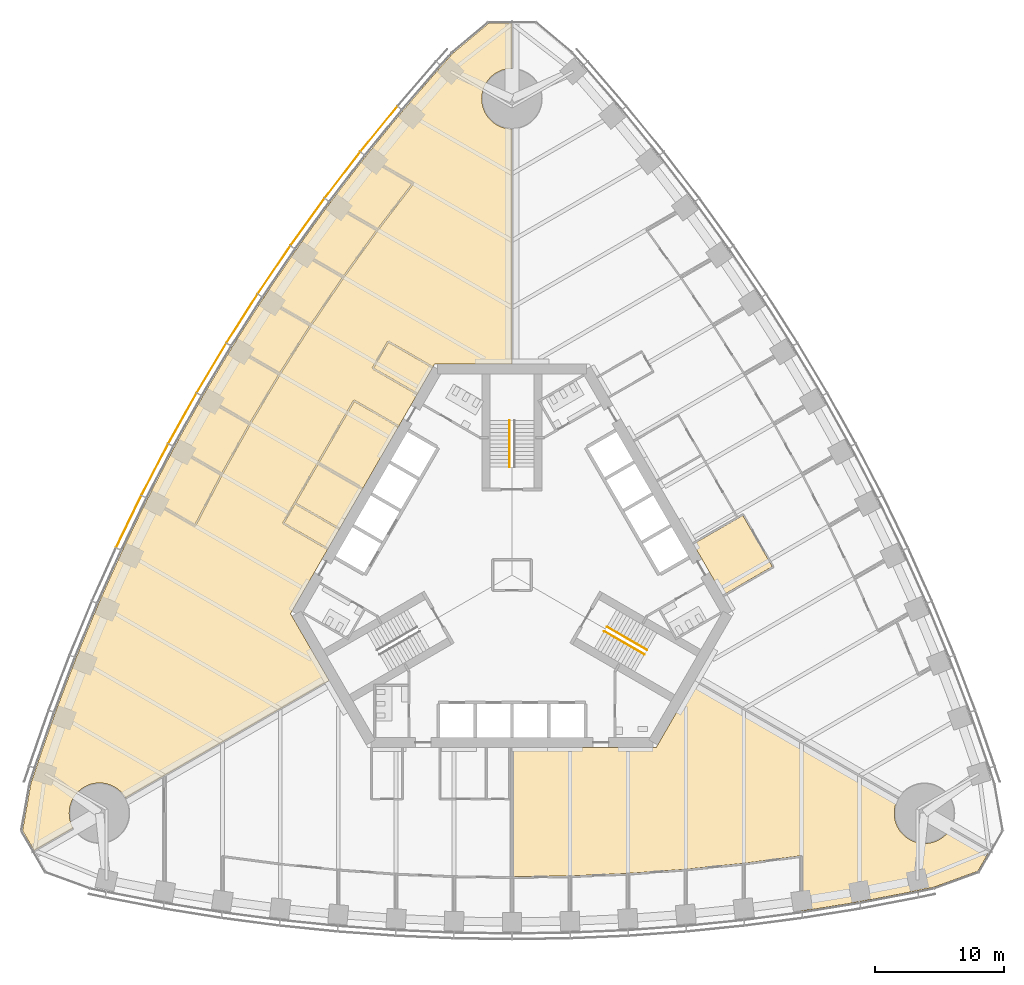
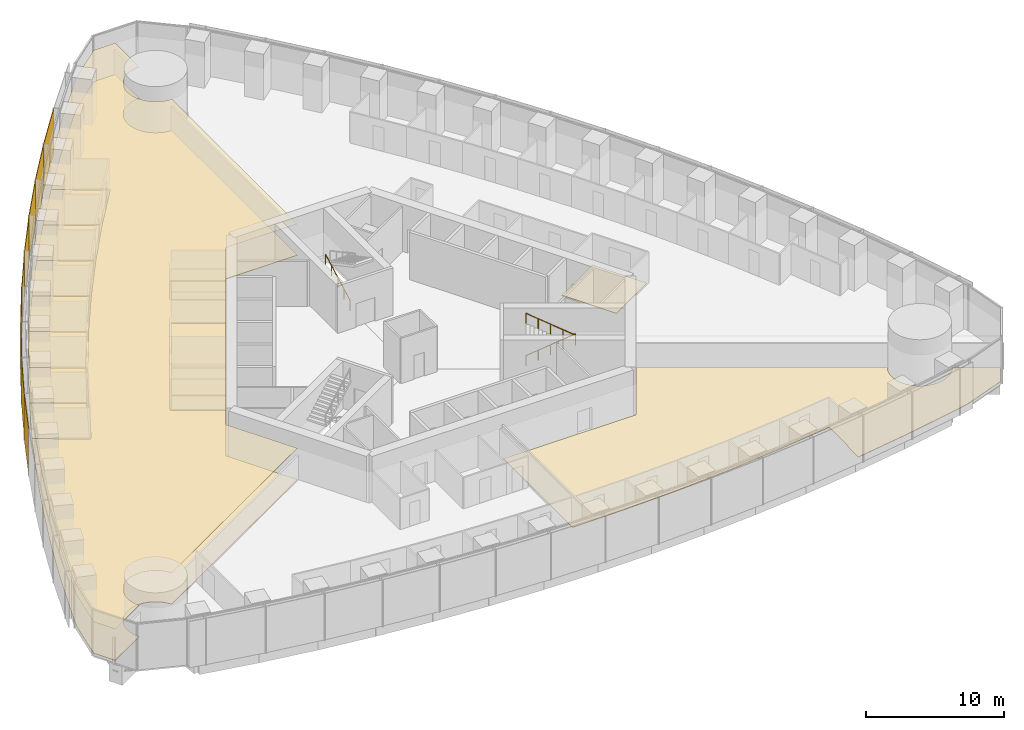
# One storey, part 16 of 19: 15 coverings, 9 shading devices, 3 railings.
"""IFC4 building model written with IfcOpenShell, lengths in metres."""

import ifcopenshell
import ifcopenshell.guid

model = None  # the IFC model being written
_history = None  # IfcOwnerHistory: only IFC2X3 demands one
_inside = {}  # id of a spatial element -> (the spatial element, [elements in it])
_under = {}  # id of a project, library or spatial element -> (it, [spatial elements below it])
_declared = {}  # id of a project -> (the project, [libraries it declares])
_typed = {}  # id of a type object -> (the type object, [elements of that type])
_made_of = {}  # id of a material, layer set ... -> (it, [elements and type objects made of it])


def new_model(schema):
    """Start an empty IFC model of exactly this schema.

    Asked for "IFC4X3", IfcOpenShell would pick the latest addendum, in which some entities
    have other attributes; the version numbers below select the first issue.
    IFC2X3 requires an IfcOwnerHistory on every rooted entity: one is made here for all.
    """
    global model, _history
    if schema == "IFC4X3":
        model = ifcopenshell.file(schema_version=(4, 3, 0, 0))
    else:
        model = ifcopenshell.file(schema=schema)
    _inside.clear()
    _under.clear()
    _declared.clear()
    _typed.clear()
    _made_of.clear()
    _history = None
    if model.schema == "IFC2X3":
        org = make("IfcOrganization", Name="unknown")
        user = make(
            "IfcPersonAndOrganization",
            ThePerson=make("IfcPerson", FamilyName="unknown"),
            TheOrganization=org,
        )
        app = make(
            "IfcApplication",
            ApplicationDeveloper=org,
            Version="unknown",
            ApplicationFullName="unknown",
            ApplicationIdentifier="unknown",
        )
        _history = make(
            "IfcOwnerHistory",
            OwningUser=user,
            OwningApplication=app,
            ChangeAction="ADDED",
            CreationDate=0,
        )
    return model


def make(cls, **values):
    """One entity of the class cls with the attributes given. An attribute that is None is left unset."""
    return model.create_entity(
        cls, **{name: value for name, value in values.items() if value is not None}
    )


def rooted(cls, **values):
    """An entity with a GlobalId (a new one), such as an element, a storey or a relation."""
    return make(cls, GlobalId=ifcopenshell.guid.new(), OwnerHistory=_history, **values)


def si_unit(unit_type, name, prefix=None):
    """IfcSIUnit, for example si_unit("LENGTHUNIT", "METRE", prefix="MILLI")."""
    return make("IfcSIUnit", UnitType=unit_type, Prefix=prefix, Name=name)


def assignment(units):
    """IfcUnitAssignment: the units of a project."""
    return None if units is None else make("IfcUnitAssignment", Units=units)


def point(xyz):
    """IfcCartesianPoint."""
    return None if xyz is None else make("IfcCartesianPoint", Coordinates=xyz)


def direction(xyz):
    """IfcDirection."""
    return None if xyz is None else make("IfcDirection", DirectionRatios=xyz)


def frame(location, z_axis=None, x_axis=None):
    """IfcAxis2Placement3D, a coordinate frame: its origin and axes. An axis left out is left unset."""
    return make(
        "IfcAxis2Placement3D",
        Location=point(location),
        Axis=direction(z_axis),
        RefDirection=direction(x_axis),
    )


def frame_2d(location, x_axis=None):
    """IfcAxis2Placement2D, a coordinate frame in the plane: its origin and x axis."""
    return make(
        "IfcAxis2Placement2D", Location=point(location), RefDirection=direction(x_axis)
    )


def origin():
    """The frame at (0, 0, 0) with its axes left unset."""
    return frame((0.0, 0.0, 0.0))


def origin_2d():
    """The frame at (0, 0) in the plane with its x axis left unset."""
    return frame_2d((0.0, 0.0))


def place(relative_to, where):
    """IfcLocalPlacement: puts the frame where relative to a parent placement (None: the world)."""
    return make(
        "IfcLocalPlacement", PlacementRelTo=relative_to, RelativePlacement=where
    )


def context(
    kind, dimensions, precision=None, world=None, true_north=None, identifier=None
):
    """IfcGeometricRepresentationContext, for example the 3D "Model" context."""
    return make(
        "IfcGeometricRepresentationContext",
        ContextIdentifier=identifier,
        ContextType=kind,
        CoordinateSpaceDimension=dimensions,
        Precision=precision,
        WorldCoordinateSystem=world,
        TrueNorth=true_north,
    )


def subcontext(parent, identifier, kind, view, scale=None):
    """IfcGeometricRepresentationSubContext, for example "Body" below "Model"."""
    return make(
        "IfcGeometricRepresentationSubContext",
        ContextIdentifier=identifier,
        ContextType=kind,
        ParentContext=parent,
        TargetScale=scale,
        TargetView=view,
    )


def project(units=None, contexts=None):
    """IfcProject with its units and contexts."""
    return rooted(
        "IfcProject",
        Name="project",
        RepresentationContexts=contexts,
        UnitsInContext=assignment(units),
    )


def spatial(cls, under=None, at=None, **own):
    """A site, building, storey or space (cls), placed at a placement, below another one or the project."""
    s = rooted(cls, ObjectPlacement=at, **own)
    if under is not None:
        _under.setdefault(under.id(), (under, []))[1].append(s)
    return s


def polyline(points):
    """IfcPolyline through the points."""
    return make("IfcPolyline", Points=[point(p) for p in points])


def profile(cls, at=None, kind="AREA", **sizes):
    """A parametric profile (cls). Its sizes go by their IFC names, for example OverallWidth=200.0."""
    return make(cls, ProfileType=kind, Position=at, **sizes)


def rectangle(**sizes):
    """IfcRectangleProfileDef."""
    return profile("IfcRectangleProfileDef", **sizes)


def circle(**sizes):
    """IfcCircleProfileDef."""
    return profile("IfcCircleProfileDef", **sizes)


def outline(outer, holes=None, kind="AREA"):
    """IfcArbitraryClosedProfileDef: a profile drawn as a closed curve; with holes, ...WithVoids."""
    if holes is None:
        return make("IfcArbitraryClosedProfileDef", ProfileType=kind, OuterCurve=outer)
    return make(
        "IfcArbitraryProfileDefWithVoids",
        ProfileType=kind,
        OuterCurve=outer,
        InnerCurves=holes,
    )


def extrude(swept, where, along, depth):
    """IfcExtrudedAreaSolid: the profile swept, set in the frame where, extruded along a direction by depth."""
    return make(
        "IfcExtrudedAreaSolid",
        SweptArea=swept,
        Position=where,
        ExtrudedDirection=direction(along),
        Depth=depth,
    )


def shape(context_of_items, identifier, shape_type, items):
    """IfcShapeRepresentation: the items that make up one representation, for example the "Body"."""
    return make(
        "IfcShapeRepresentation",
        ContextOfItems=context_of_items,
        RepresentationIdentifier=identifier,
        RepresentationType=shape_type,
        Items=items,
    )


def material(Name=None, Category=None):
    """IfcMaterial."""
    return make("IfcMaterial", Name=Name, Category=Category)


def layer(
    of_material, thickness, ventilated=None, Name=None, Category=None, Priority=None
):
    """IfcMaterialLayer: one layer of a wall or slab, of a material (None: an air gap)."""
    return make(
        "IfcMaterialLayer",
        Material=of_material,
        LayerThickness=thickness,
        IsVentilated=ventilated,
        Name=Name,
        Category=Category,
        Priority=Priority,
    )


def layer_set(layers, Name=None):
    """IfcMaterialLayerSet."""
    return make("IfcMaterialLayerSet", MaterialLayers=layers, LayerSetName=Name)


def made_of(thing, what):
    """Note that an element or type object is made of a material, layer set ...; save() writes the relation."""
    if what is not None:
        _made_of.setdefault(what.id(), (what, []))[1].append(thing)
    return thing


def type_object(cls, material=None, **own):
    """A type object (cls), such as IfcWallType, which elements share."""
    return made_of(rooted(cls, **own), material)


def element(
    cls,
    number,
    at=None,
    inside=None,
    cuts=None,
    type_object=None,
    material=None,
    context=None,
    identifier="Body",
    shape_type=None,
    held_by="IfcProductDefinitionShape",
    body=None,
    shapes=None,
    **own,
):
    """One element of the class cls, such as IfcWall. Its Tag is "e" and its number.

    at: its placement. inside: the storey or other place that contains it. cuts: it is an
    opening in that element (IfcRelVoidsElement). A single representation is given by context,
    identifier, shape_type and body (its items); several are given by shapes. held_by: the class
    of the entity that holds the representations. save() writes the other relations.
    """
    e = rooted(cls, Tag="e%d" % number, ObjectPlacement=at, **own)
    if body is not None:
        shapes = [shape(context, identifier, shape_type, body)]
    if shapes is not None:
        e.Representation = make(held_by, Representations=shapes)
    if inside is not None:
        _inside.setdefault(inside.id(), (inside, []))[1].append(e)
    if cuts is not None:
        rooted(
            "IfcRelVoidsElement", RelatingBuildingElement=cuts, RelatedOpeningElement=e
        )
    if type_object is not None:
        _typed.setdefault(type_object.id(), (type_object, []))[1].append(e)
    return made_of(e, material)


def aggregate(whole, parts):
    """IfcRelAggregates: a whole, such as a stair, and the parts it consists of."""
    return rooted("IfcRelAggregates", RelatingObject=whole, RelatedObjects=parts)


def save(model, path):
    """Write the relations noted so far, then the file.

    IfcRelAggregates (storeys below a building ...), IfcRelContainedInSpatialStructure (elements
    in a storey), IfcRelDefinesByType, IfcRelAssociatesMaterial and IfcRelDeclares: one each for
    every whole, place, type object, material and project.
    """
    for whole, parts in _under.values():
        aggregate(whole, parts)
    for where, things in _inside.values():
        rooted(
            "IfcRelContainedInSpatialStructure",
            RelatedElements=things,
            RelatingStructure=where,
        )
    for kind, things in _typed.values():
        rooted("IfcRelDefinesByType", RelatedObjects=things, RelatingType=kind)
    for what, things in _made_of.values():
        rooted("IfcRelAssociatesMaterial", RelatedObjects=things, RelatingMaterial=what)
    for by, libraries in _declared.values():
        rooted("IfcRelDeclares", RelatingContext=by, RelatedDefinitions=libraries)
    model.write(path)


model = new_model("IFC4")

# Units and contexts
model_context = context("Model", 3, precision=1e-05, world=origin(), true_north=direction((0.0, 1.0)))
body_context = subcontext(model_context, "Body", "Model", "MODEL_VIEW")
ifc_project = project(units=[si_unit("LENGTHUNIT", "METRE"), si_unit("AREAUNIT", "SQUARE_METRE"), si_unit("VOLUMEUNIT", "CUBIC_METRE"), si_unit("PLANEANGLEUNIT", "RADIAN"), si_unit("MASSUNIT", "GRAM", prefix="KILO")], contexts=[model_context])

# Site, building, storey
site_placement = place(None, origin())
site = spatial("IfcSite", under=ifc_project, at=site_placement, CompositionType="ELEMENT")
building_placement = place(site_placement, origin())
building = spatial("IfcBuilding", under=site, at=building_placement, Name="Trefoil Bronze Tower", CompositionType="ELEMENT")
storey_placement = place(building_placement, frame((0.0, 0.0, 16.5)))
storey = spatial("IfcBuildingStorey", under=building, at=storey_placement, Name="L03", CompositionType="ELEMENT", Elevation=16.5)

# Shading devices
ifc_material_1 = material(Name="Perforated bronze sheet", Category="bronze")
ifc_layer_1 = layer(ifc_material_1, 0.0400390625)
ifc_layer_set_1 = layer_set([ifc_layer_1], Name="Bronze solar screen panel")
shading_device_type = type_object("IfcShadingDeviceType", Name="Bronze solar screen panel", PredefinedType="SHUTTER", material=ifc_layer_set_1)
shading_device_1_placement = place(storey_placement, frame((-10.338623046875, 34.6474609375, 0.050048828125), z_axis=(0.0, 0.0, 1.0), x_axis=(-0.631810729457, -0.775122701346, 0.0)))
element("IfcShadingDevice", 1, at=shading_device_1_placement, inside=storey, type_object=shading_device_type, Name="Solar screen CW-A L03 F3 bay 3", PredefinedType="SHUTTER", context=body_context, shape_type="SweptSolid", body=[
    extrude(rectangle(XDim=4.5283203125, YDim=0.0400390625, at=origin_2d()), origin(), (0.0, 0.0, 1.0), 4.10009765625),
])
shading_device_2_placement = place(storey_placement, frame((-13.170166015625, 31.06787109375, 0.050048828125), z_axis=(0.0, 0.0, 1.0), x_axis=(-0.608807670879, -0.793317855515, 0.0)))
element("IfcShadingDevice", 2, at=shading_device_2_placement, inside=storey, type_object=shading_device_type, Name="Solar screen CW-A L03 F3 bay 4", PredefinedType="SHUTTER", context=body_context, shape_type="SweptSolid", body=[
    extrude(rectangle(XDim=4.5087890625, YDim=0.0400390625, at=origin_2d()), origin(), (0.0, 0.0, 1.0), 4.10009765625),
])
shading_device_3_placement = place(storey_placement, frame((-15.88525390625, 27.421142578125, 0.050048828125), z_axis=(0.0, 0.0, 1.0), x_axis=(-0.585372522213, -0.810764460394, 0.0)))
element("IfcShadingDevice", 3, at=shading_device_3_placement, inside=storey, type_object=shading_device_type, Name="Solar screen CW-A L03 F3 bay 5", PredefinedType="SHUTTER", context=body_context, shape_type="SweptSolid", body=[
    extrude(rectangle(XDim=4.493408203125, YDim=0.0400390625, at=origin_2d()), origin(), (0.0, 0.0, 1.0), 4.10009765625),
])
shading_device_4_placement = place(storey_placement, frame((-18.48486328125, 23.707763671875, 0.050048828125), z_axis=(0.0, 0.0, 1.0), x_axis=(-0.56150968077, -0.827470167681, 0.0)))
element("IfcShadingDevice", 4, at=shading_device_4_placement, inside=storey, type_object=shading_device_type, Name="Solar screen CW-A L03 F3 bay 6", PredefinedType="SHUTTER", context=body_context, shape_type="SweptSolid", body=[
    extrude(rectangle(XDim=4.48193359375, YDim=0.0400390625, at=origin_2d()), origin(), (0.0, 0.0, 1.0), 4.10009765625),
])
shading_device_5_placement = place(storey_placement, frame((-20.97021484375, 19.928466796875, 0.050048828125), z_axis=(0.0, 0.0, 1.0), x_axis=(-0.537222392469, -0.843440632783, 0.0)))
element("IfcShadingDevice", 5, at=shading_device_5_placement, inside=storey, type_object=shading_device_type, Name="Solar screen CW-A L03 F3 bay 7", PredefinedType="SHUTTER", context=body_context, shape_type="SweptSolid", body=[
    extrude(rectangle(XDim=4.474365234375, YDim=0.0400390625, at=origin_2d()), origin(), (0.0, 0.0, 1.0), 4.10009765625),
])
for number, where, z_axis, x_axis, name in (
    (6, (-23.341552734375, 16.083251953125, 0.050048828125), (0.0, 0.0, 1.0), (-0.51251279404, -0.858679588639, 0.0), "Solar screen CW-A L03 F3 bay 8"),
    (7, (-25.599365234375, 12.172607421875, 0.050048828125), (0.0, 0.0, 1.0), (-0.487381940453, -0.873188893722, 0.0), "Solar screen CW-A L03 F3 bay 9"),
):
    element("IfcShadingDevice", number, at=place(storey_placement, frame(where, z_axis=z_axis, x_axis=x_axis)), inside=storey, type_object=shading_device_type, Name=name, PredefinedType="SHUTTER", context=body_context, shape_type="SweptSolid", body=[
        extrude(rectangle(XDim=4.470458984375, YDim=0.0400390625, at=origin_2d()), origin(), (0.0, 0.0, 1.0), 4.10009765625),
    ])
shading_device_6_placement = place(storey_placement, frame((-27.74365234375, 8.1962890625, 0.050048828125), z_axis=(0.0, 0.0, 1.0), x_axis=(-0.46182981834, -0.886968555752, 0.0)))
element("IfcShadingDevice", 8, at=shading_device_6_placement, inside=storey, type_object=shading_device_type, Name="Solar screen CW-A L03 F3 bay 10", PredefinedType="SHUTTER", context=body_context, shape_type="SweptSolid", body=[
    extrude(rectangle(XDim=4.474365234375, YDim=0.0400390625, at=origin_2d()), origin(), (0.0, 0.0, 1.0), 4.10009765625),
])
shading_device_7_placement = place(storey_placement, frame((-29.77392578125, 4.154541015625, 0.050048828125), z_axis=(0.0, 0.0, 1.0), x_axis=(-0.4358553457, -0.900016731858, 0.0)))
element("IfcShadingDevice", 9, at=shading_device_7_placement, inside=storey, type_object=shading_device_type, Name="Solar screen CW-A L03 F3 bay 11", PredefinedType="SHUTTER", context=body_context, shape_type="SweptSolid", body=[
    extrude(rectangle(XDim=4.48193359375, YDim=0.0400390625, at=origin_2d()), origin(), (0.0, 0.0, 1.0), 4.10009765625),
])

# Railings
ifc_material_2 = material(Name="Steel handrail", Category="steel")
railing_type = type_object("IfcRailingType", Name="Handrail 900", PredefinedType="HANDRAIL", material=ifc_material_2)
railing_1_placement = place(storey_placement, frame((7.365966796875, -4.021728515625, 0.16162109375)))
element("IfcRailing", 10, at=railing_1_placement, inside=storey, type_object=railing_type, Name="Handrail ST1 flight 1 L03", PredefinedType="HANDRAIL", context=body_context, shape_type="SweptSolid", body=[
    extrude(circle(Radius=0.02392578125, at=origin_2d()), frame((0.0, 0.0, 0.8759765625), z_axis=(0.76250339821, -0.440245697338, 0.474101564745), x_axis=(0.500012057535, 0.866018442252, 0.0)), (0.0, 0.0, 1.0), 4.088623046875),
    extrude(circle(Radius=0.02099609375, at=origin_2d()), origin(), (0.0, 0.0, 1.0), 0.851806640625),
    extrude(circle(Radius=0.02099609375, at=origin_2d()), frame((0.779296875, -0.449951171875, 0.484619140625)), (0.0, 0.0, 1.0), 0.851806640625),
    extrude(circle(Radius=0.02099609375, at=origin_2d()), frame((1.558837890625, -0.89990234375, 0.96923828125)), (0.0, 0.0, 1.0), 0.851806640625),
    extrude(circle(Radius=0.02099609375, at=origin_2d()), frame((2.33837890625, -1.35009765625, 1.453857421875)), (0.0, 0.0, 1.0), 0.851806640625),
    extrude(circle(Radius=0.02099609375, at=origin_2d()), frame((3.11767578125, -1.800048828125, 1.9384765625)), (0.0, 0.0, 1.0), 0.851806640625),
])
railing_2_placement = place(storey_placement, frame((10.28369140625, -6.168212890625, 2.261474609375)))
element("IfcRailing", 11, at=railing_2_placement, inside=storey, type_object=railing_type, Name="Handrail ST1 flight 2 L03", PredefinedType="HANDRAIL", context=body_context, shape_type="SweptSolid", body=[
    extrude(circle(Radius=0.02392578125, at=origin_2d()), frame((0.0, 0.0, 0.8759765625), z_axis=(-0.76250339821, 0.440245697338, 0.474101564745), x_axis=(-0.500012057535, -0.866018442252, 0.0)), (0.0, 0.0, 1.0), 4.088623046875),
    extrude(circle(Radius=0.02099609375, at=origin_2d()), origin(), (0.0, 0.0, 1.0), 0.851806640625),
    extrude(circle(Radius=0.02099609375, at=origin_2d()), frame((-0.779296875, 0.449951171875, 0.484619140625)), (0.0, 0.0, 1.0), 0.851806640625),
    extrude(circle(Radius=0.02099609375, at=origin_2d()), frame((-1.558837890625, 0.89990234375, 0.96923828125)), (0.0, 0.0, 1.0), 0.851806640625),
    extrude(circle(Radius=0.02099609375, at=origin_2d()), frame((-2.33837890625, 1.35009765625, 1.453857421875)), (0.0, 0.0, 1.0), 0.851806640625),
    extrude(circle(Radius=0.02099609375, at=origin_2d()), frame((-3.11767578125, 1.800048828125, 1.9384765625)), (0.0, 0.0, 1.0), 0.851806640625),
])
railing_3_placement = place(storey_placement, frame((-0.199951171875, 8.389892578125, 0.16162109375)))
element("IfcRailing", 12, at=railing_3_placement, inside=storey, type_object=railing_type, Name="Handrail ST2 flight 1 L03", PredefinedType="HANDRAIL", context=body_context, shape_type="SweptSolid", body=[
    extrude(circle(Radius=0.02392578125, at=origin_2d()), frame((0.0, 0.0, 0.8759765625), z_axis=(0.0, 0.880474934443, 0.474092701714), x_axis=(-1.0, 0.0, 0.0)), (0.0, 0.0, 1.0), 4.0888671875),
    extrude(circle(Radius=0.02099609375, at=origin_2d()), origin(), (0.0, 0.0, 1.0), 0.851806640625),
    extrude(circle(Radius=0.02099609375, at=origin_2d()), frame((0.0, 0.89990234375, 0.484619140625)), (0.0, 0.0, 1.0), 0.851806640625),
    extrude(circle(Radius=0.02099609375, at=origin_2d()), frame((0.0, 1.800048828125, 0.96923828125)), (0.0, 0.0, 1.0), 0.851806640625),
    extrude(circle(Radius=0.02099609375, at=origin_2d()), frame((0.0, 2.7001953125, 1.453857421875)), (0.0, 0.0, 1.0), 0.851806640625),
    extrude(circle(Radius=0.02099609375, at=origin_2d()), frame((0.0, 3.60009765625, 1.9384765625)), (0.0, 0.0, 1.0), 0.851806640625),
])

# Coverings
ifc_material_3 = material(Name="Acoustic ceiling panels", Category="mineral fibre")
ifc_layer_2 = layer(ifc_material_3, 0.02001953125)
ifc_layer_set_2 = layer_set([ifc_layer_2], Name="Office ceiling 20")
covering_type_1 = type_object("IfcCoveringType", Name="Office ceiling 20", PredefinedType="CEILING", material=ifc_layer_set_2)
covering_1_placement = place(storey_placement, frame((0.0, 0.0, 2.89990234375)))
element("IfcCovering", 13, at=covering_1_placement, inside=storey, type_object=covering_type_1, Name="Ceiling L03 Open-plan office F3", PredefinedType="CEILING", context=body_context, shape_type="SweptSolid", body=[
    extrude(outline(polyline([(-36.9814453125, -15.021728515625), (-35.47998046875, -10.6923828125), (-33.860107421875, -6.431640625), (-32.123291015625, -2.23828125), (-30.271240234375, 1.888671875), (-28.3046875, 5.949462890625), (-26.224609375, 9.944580078125), (-24.031005859375, 13.87451171875), (-21.724609375, 17.73876953125), (-19.3046875, 21.537841796875), (-16.771240234375, 25.271484375), (-14.123291015625, 28.938720703125), (-11.360107421875, 32.53955078125), (-8.47998046875, 36.072998046875), (-5.4814453125, 39.537841796875), (-4.618896484375, 40.497314453125), (-1.82421875, 42.84228515625), (-0.01611328125, 42.84228515625), (-0.014892578125, 39.349609375), (-0.115234375, 39.34716796875), (-0.230224609375, 39.338623046875), (-0.3447265625, 39.32470703125), (-0.45849609375, 39.3046875), (-0.571044921875, 39.279541015625), (-0.68212890625, 39.248779296875), (-0.791748046875, 39.212646484375), (-0.8994140625, 39.171142578125), (-1.0048828125, 39.12451171875), (-1.10791015625, 39.072509765625), (-1.2080078125, 39.015625), (-1.3056640625, 38.9541015625), (-1.39990234375, 38.887451171875), (-1.49072265625, 38.816650390625), (-1.578125, 38.7412109375), (-1.66162109375, 38.66162109375), (-1.7412109375, 38.578125), (-1.816650390625, 38.49072265625), (-1.887451171875, 38.39990234375), (-1.9541015625, 38.3056640625), (-2.015625, 38.2080078125), (-2.072509765625, 38.10791015625), (-2.12451171875, 38.0048828125), (-2.171142578125, 37.8994140625), (-2.212646484375, 37.791748046875), (-2.248779296875, 37.68212890625), (-2.279541015625, 37.571044921875), (-2.3046875, 37.45849609375), (-2.32470703125, 37.3447265625), (-2.338623046875, 37.230224609375), (-2.34716796875, 37.115234375), (-2.35009765625, 37.0), (-2.34716796875, 36.884765625), (-2.338623046875, 36.769775390625), (-2.32470703125, 36.6552734375), (-2.3046875, 36.54150390625), (-2.279541015625, 36.428955078125), (-2.248779296875, 36.31787109375), (-2.212646484375, 36.208251953125), (-2.171142578125, 36.1005859375), (-2.12451171875, 35.9951171875), (-2.072509765625, 35.89208984375), (-2.015625, 35.7919921875), (-1.9541015625, 35.6943359375), (-1.887451171875, 35.60009765625), (-1.816650390625, 35.50927734375), (-1.7412109375, 35.421875), (-1.66162109375, 35.33837890625), (-1.578125, 35.2587890625), (-1.49072265625, 35.183349609375), (-1.39990234375, 35.112548828125), (-1.3056640625, 35.0458984375), (-1.2080078125, 34.984375), (-1.10791015625, 34.927490234375), (-1.0048828125, 34.87548828125), (-0.8994140625, 34.828857421875), (-0.791748046875, 34.787353515625), (-0.68212890625, 34.751220703125), (-0.571044921875, 34.720458984375), (-0.45849609375, 34.6953125), (-0.3447265625, 34.67529296875), (-0.230224609375, 34.661376953125), (-0.115234375, 34.65283203125), (-0.012939453125, 34.650390625), (-0.006103515625, 16.39990234375), (-6.00439453125, 16.39990234375), (-17.205078125, -3.0), (-14.205810546875, -8.194580078125), (-30.0146484375, -17.31396484375), (-30.02734375, -17.2919921875), (-30.089111328125, -17.1943359375), (-30.155517578125, -17.10009765625), (-30.226318359375, -17.00927734375), (-30.3017578125, -16.921875), (-30.381103515625, -16.83837890625), (-30.46484375, -16.7587890625), (-30.552001953125, -16.683349609375), (-30.64306640625, -16.612548828125), (-30.7373046875, -16.5458984375), (-30.834716796875, -16.484375), (-30.935302734375, -16.427490234375), (-31.0380859375, -16.37548828125), (-31.1435546875, -16.328857421875), (-31.251220703125, -16.287353515625), (-31.36083984375, -16.251220703125), (-31.471923828125, -16.220458984375), (-31.58447265625, -16.1953125), (-31.697998046875, -16.17529296875), (-31.8125, -16.161376953125), (-31.927490234375, -16.15283203125), (-32.04296875, -16.14990234375), (-32.158203125, -16.15283203125), (-32.273193359375, -16.161376953125), (-32.3876953125, -16.17529296875), (-32.50146484375, -16.1953125), (-32.614013671875, -16.220458984375), (-32.72509765625, -16.251220703125), (-32.834716796875, -16.287353515625), (-32.942138671875, -16.328857421875), (-33.047607421875, -16.37548828125), (-33.150634765625, -16.427490234375), (-33.251220703125, -16.484375), (-33.348388671875, -16.5458984375), (-33.44287109375, -16.612548828125), (-33.53369140625, -16.683349609375), (-33.62109375, -16.7587890625), (-33.70458984375, -16.83837890625), (-33.7841796875, -16.921875), (-33.859619140625, -17.00927734375), (-33.930419921875, -17.10009765625), (-33.996826171875, -17.1943359375), (-34.05859375, -17.2919921875), (-34.115478515625, -17.39208984375), (-34.167236328125, -17.4951171875), (-34.214111328125, -17.6005859375), (-34.255615234375, -17.708251953125), (-34.291748046875, -17.81787109375), (-34.322509765625, -17.928955078125), (-34.347900390625, -18.04150390625), (-34.367431640625, -18.1552734375), (-34.381591796875, -18.269775390625), (-34.39013671875, -18.384765625), (-34.392822265625, -18.5), (-34.39013671875, -18.615234375), (-34.381591796875, -18.730224609375), (-34.367431640625, -18.8447265625), (-34.347900390625, -18.95849609375), (-34.322509765625, -19.071044921875), (-34.291748046875, -19.18212890625), (-34.255615234375, -19.291748046875), (-34.214111328125, -19.3994140625), (-34.167236328125, -19.5048828125), (-34.115478515625, -19.60791015625), (-34.084716796875, -19.661865234375), (-37.110595703125, -21.4072265625), (-38.0146484375, -19.841552734375), (-37.381103515625, -16.248779296875), (-36.9814453125, -15.021728515625)])), origin(), (0.0, 0.0, 1.0), 0.02001953125),
])
ifc_material_4 = material(Name="Raised access floor panels", Category="steel")
ifc_layer_3 = layer(ifc_material_4, 0.050048828125)
ifc_layer_set_3 = layer_set([ifc_layer_3], Name="Raised access floor 150")
covering_type_2 = type_object("IfcCoveringType", Name="Raised access floor 150", PredefinedType="FLOORING", material=ifc_layer_set_3)
covering_2_placement = place(storey_placement, frame((0.0, 0.0, 0.10009765625)))
element("IfcCovering", 14, at=covering_2_placement, inside=storey, type_object=covering_type_2, Name="Raised floor L03 Open-plan office F1", PredefinedType="FLOORING", context=body_context, shape_type="SweptSolid", body=[
    extrude(outline(polyline([(22.5, -24.510986328125), (22.56005859375, -24.510986328125), (22.56005859375, -21.85791015625), (22.5, -21.85791015625), (22.4921875, -21.79833984375), (17.992919921875, -22.39111328125), (13.494873046875, -22.850341796875), (8.99658203125, -23.177490234375), (4.498291015625, -23.373291015625), (0.074951171875, -23.4375), (0.074951171875, -13.409912109375), (0.0009765625, -13.409912109375), (0.0009765625, -13.39990234375), (11.20068359375, -13.39990234375), (14.19970703125, -8.205322265625), (30.001953125, -17.336669921875), (29.970458984375, -17.39208984375), (29.918701171875, -17.4951171875), (29.871826171875, -17.6005859375), (29.830322265625, -17.708251953125), (29.794189453125, -17.81787109375), (29.763427734375, -17.928955078125), (29.738037109375, -18.04150390625), (29.718505859375, -18.1552734375), (29.704345703125, -18.269775390625), (29.69580078125, -18.384765625), (29.69287109375, -18.5), (29.69580078125, -18.615234375), (29.704345703125, -18.730224609375), (29.718505859375, -18.8447265625), (29.738037109375, -18.95849609375), (29.763427734375, -19.071044921875), (29.794189453125, -19.18212890625), (29.830322265625, -19.291748046875), (29.871826171875, -19.3994140625), (29.918701171875, -19.5048828125), (29.970458984375, -19.60791015625), (30.02734375, -19.7080078125), (30.089111328125, -19.8056640625), (30.155517578125, -19.89990234375), (30.226318359375, -19.99072265625), (30.3017578125, -20.078125), (30.381103515625, -20.16162109375), (30.46484375, -20.2412109375), (30.552001953125, -20.316650390625), (30.64306640625, -20.387451171875), (30.7373046875, -20.4541015625), (30.834716796875, -20.515625), (30.935302734375, -20.572509765625), (31.0380859375, -20.62451171875), (31.1435546875, -20.671142578125), (31.251220703125, -20.712646484375), (31.36083984375, -20.748779296875), (31.471923828125, -20.779541015625), (31.58447265625, -20.8046875), (31.697998046875, -20.82470703125), (31.8125, -20.838623046875), (31.927490234375, -20.84716796875), (32.04296875, -20.85009765625), (32.158203125, -20.84716796875), (32.273193359375, -20.838623046875), (32.3876953125, -20.82470703125), (32.50146484375, -20.8046875), (32.614013671875, -20.779541015625), (32.72509765625, -20.748779296875), (32.834716796875, -20.712646484375), (32.942138671875, -20.671142578125), (33.047607421875, -20.62451171875), (33.150634765625, -20.572509765625), (33.251220703125, -20.515625), (33.348388671875, -20.4541015625), (33.44287109375, -20.387451171875), (33.53369140625, -20.316650390625), (33.62109375, -20.2412109375), (33.70458984375, -20.16162109375), (33.7841796875, -20.078125), (33.859619140625, -19.99072265625), (33.930419921875, -19.89990234375), (33.996826171875, -19.8056640625), (34.0703125, -19.6875), (37.094482421875, -21.43505859375), (36.190673828125, -23.0009765625), (32.762451171875, -24.248779296875), (31.5, -24.51611328125), (27.0, -25.38037109375), (22.5, -26.10791015625), (22.5, -24.510986328125)])), origin(), (0.0, 0.0, 1.0), 0.0498046875),
])
covering_3_placement = place(storey_placement, frame((0.0, 0.0, 0.10009765625)))
element("IfcCovering", 15, at=covering_3_placement, inside=storey, type_object=covering_type_2, Name="Raised floor L03 Reception F2", PredefinedType="FLOORING", context=body_context, shape_type="SweptSolid", body=[
    extrude(outline(polyline([(14.084716796875, 2.404541015625), (17.929931640625, 4.62451171875), (20.219970703125, 0.658203125), (16.374755859375, -1.56201171875), (14.084716796875, 2.404541015625)])), origin(), (0.0, 0.0, 1.0), 0.0498046875),
])
covering_4_placement = place(storey_placement, frame((0.0, 0.0, 0.10009765625)))
element("IfcCovering", 16, at=covering_4_placement, inside=storey, type_object=covering_type_2, Name="Raised floor L03 Meeting room F3", PredefinedType="FLOORING", context=body_context, shape_type="SweptSolid", body=[
    extrude(outline(polyline([(-11.57470703125, 6.751953125), (-14.98681640625, 8.721923828125), (-12.246826171875, 13.4677734375), (-8.834716796875, 11.497802734375), (-11.57470703125, 6.751953125)])), origin(), (0.0, 0.0, 1.0), 0.0498046875),
])
covering_5_placement = place(storey_placement, frame((0.0, 0.0, 0.10009765625)))
element("IfcCovering", 17, at=covering_5_placement, inside=storey, type_object=covering_type_2, Name="Raised floor L03 Meeting room F3", PredefinedType="FLOORING", context=body_context, shape_type="SweptSolid", body=[
    extrude(outline(polyline([(-13.374755859375, 3.63427734375), (-16.786865234375, 5.604248046875), (-15.046875, 8.617919921875), (-11.634765625, 6.64794921875), (-13.374755859375, 3.63427734375)])), origin(), (0.0, 0.0, 1.0), 0.0498046875),
])
covering_6_placement = place(storey_placement, frame((0.0, 0.0, 0.10009765625)))
element("IfcCovering", 18, at=covering_6_placement, inside=storey, type_object=covering_type_2, Name="Raised floor L03 Phone room F3", PredefinedType="FLOORING", context=body_context, shape_type="SweptSolid", body=[
    extrude(outline(polyline([(-14.274658203125, 2.075439453125), (-17.68701171875, 4.04541015625), (-16.846923828125, 5.500244140625), (-13.434814453125, 3.5302734375), (-14.274658203125, 2.075439453125)])), origin(), (0.0, 0.0, 1.0), 0.0498046875),
])
covering_7_placement = place(storey_placement, frame((0.0, 0.0, 0.10009765625)))
element("IfcCovering", 19, at=covering_7_placement, inside=storey, type_object=covering_type_2, Name="Raised floor L03 Print and store room F3", PredefinedType="FLOORING", context=body_context, shape_type="SweptSolid", body=[
    extrude(outline(polyline([(-7.32470703125, 14.11328125), (-10.73681640625, 16.083251953125), (-9.596923828125, 18.0576171875), (-6.184814453125, 16.087646484375), (-7.32470703125, 14.11328125)])), origin(), (0.0, 0.0, 1.0), 0.0498046875),
])
covering_8_placement = place(storey_placement, frame((0.0, 0.0, 0.10009765625)))
element("IfcCovering", 20, at=covering_8_placement, inside=storey, type_object=covering_type_2, Name="Raised floor L03 Office F3", PredefinedType="FLOORING", context=body_context, shape_type="SweptSolid", body=[
    extrude(outline(polyline([(-14.123291015625, 28.938720703125), (-11.360107421875, 32.53955078125), (-9.977294921875, 31.7412109375), (-10.007080078125, 31.689208984375), (-7.768798828125, 30.396728515625), (-10.45849609375, 26.89208984375), (-12.7158203125, 28.1953125), (-12.745849609375, 28.143310546875), (-14.123291015625, 28.938720703125)])), origin(), (0.0, 0.0, 1.0), 0.0498046875),
])
covering_9_placement = place(storey_placement, frame((0.0, 0.0, 0.10009765625)))
element("IfcCovering", 21, at=covering_9_placement, inside=storey, type_object=covering_type_2, Name="Raised floor L03 Office F3", PredefinedType="FLOORING", context=body_context, shape_type="SweptSolid", body=[
    extrude(outline(polyline([(-14.123291015625, 28.938720703125), (-12.745849609375, 28.143310546875), (-12.77587890625, 28.091552734375), (-10.5302734375, 26.794921875), (-13.107666015625, 23.225341796875), (-15.367919921875, 24.5302734375), (-15.397705078125, 24.478515625), (-16.771240234375, 25.271484375), (-14.123291015625, 28.938720703125)])), origin(), (0.0, 0.0, 1.0), 0.0498046875),
])
covering_10_placement = place(storey_placement, frame((0.0, 0.0, 0.10009765625)))
element("IfcCovering", 22, at=covering_10_placement, inside=storey, type_object=covering_type_2, Name="Raised floor L03 Office F3", PredefinedType="FLOORING", context=body_context, shape_type="SweptSolid", body=[
    extrude(outline(polyline([(-19.3046875, 21.537841796875), (-16.771240234375, 25.271484375), (-15.397705078125, 24.478515625), (-15.427734375, 24.426513671875), (-13.176513671875, 23.126708984375), (-15.642578125, 19.492919921875), (-17.904052734375, 20.798583984375), (-17.93408203125, 20.74658203125), (-19.3046875, 21.537841796875)])), origin(), (0.0, 0.0, 1.0), 0.0498046875),
])
covering_11_placement = place(storey_placement, frame((0.0, 0.0, 0.10009765625)))
element("IfcCovering", 23, at=covering_11_placement, inside=storey, type_object=covering_type_2, Name="Raised floor L03 Office F3", PredefinedType="FLOORING", context=body_context, shape_type="SweptSolid", body=[
    extrude(outline(polyline([(-19.3046875, 21.537841796875), (-17.93408203125, 20.74658203125), (-17.964111328125, 20.694580078125), (-15.70849609375, 19.392333984375), (-18.063720703125, 15.694580078125), (-20.32568359375, 17.00048828125), (-20.355712890625, 16.948486328125), (-21.724609375, 17.73876953125), (-19.3046875, 21.537841796875)])), origin(), (0.0, 0.0, 1.0), 0.0498046875),
])
covering_12_placement = place(storey_placement, frame((0.0, 0.0, 0.10009765625)))
element("IfcCovering", 24, at=covering_12_placement, inside=storey, type_object=covering_type_2, Name="Raised floor L03 Office F3", PredefinedType="FLOORING", context=body_context, shape_type="SweptSolid", body=[
    extrude(outline(polyline([(-24.031005859375, 13.87451171875), (-21.724609375, 17.73876953125), (-20.355712890625, 16.948486328125), (-20.385498046875, 16.896484375), (-18.126708984375, 15.59228515625), (-20.37158203125, 11.830810546875), (-22.6328125, 13.13623046875), (-22.662841796875, 13.08447265625), (-24.031005859375, 13.87451171875)])), origin(), (0.0, 0.0, 1.0), 0.0498046875),
])
covering_13_placement = place(storey_placement, frame((0.0, 0.0, 0.10009765625)))
element("IfcCovering", 25, at=covering_13_placement, inside=storey, type_object=covering_type_2, Name="Raised floor L03 Office F3", PredefinedType="FLOORING", context=body_context, shape_type="SweptSolid", body=[
    extrude(outline(polyline([(-26.224609375, 9.944580078125), (-24.031005859375, 13.87451171875), (-22.662841796875, 13.08447265625), (-22.69287109375, 13.032470703125), (-20.431640625, 11.72705078125), (-22.566650390625, 7.902099609375), (-24.82568359375, 9.206298828125), (-24.855712890625, 9.154296875), (-26.224609375, 9.944580078125)])), origin(), (0.0, 0.0, 1.0), 0.0498046875),
])
covering_14_placement = place(storey_placement, frame((0.0, 0.0, 0.10009765625)))
element("IfcCovering", 26, at=covering_14_placement, inside=storey, type_object=covering_type_2, Name="Raised floor L03 Office F3", PredefinedType="FLOORING", context=body_context, shape_type="SweptSolid", body=[
    extrude(outline(polyline([(-28.3046875, 5.949462890625), (-26.224609375, 9.944580078125), (-24.855712890625, 9.154296875), (-24.885498046875, 9.102294921875), (-22.623779296875, 7.79638671875), (-24.6484375, 3.90771484375), (-26.904052734375, 5.210205078125), (-26.93408203125, 5.158203125), (-28.3046875, 5.949462890625)])), origin(), (0.0, 0.0, 1.0), 0.0498046875),
])
covering_15_placement = place(storey_placement, frame((0.0, 0.0, 0.10009765625)))
element("IfcCovering", 27, at=covering_15_placement, inside=storey, type_object=covering_type_2, Name="Raised floor L03 Open-plan office F3", PredefinedType="FLOORING", context=body_context, shape_type="SweptSolid", body=[
    extrude(outline(polyline([(-30.271240234375, 1.888671875), (-28.3046875, 5.949462890625), (-26.93408203125, 5.158203125), (-26.964111328125, 5.106201171875), (-24.654052734375, 3.7724609375), (-24.6240234375, 3.824462890625), (-24.57080078125, 3.796630859375), (-22.4912109375, 7.791015625), (-20.298583984375, 11.719482421875), (-17.992919921875, 15.582275390625), (-15.573974609375, 19.3798828125), (-13.04150390625, 23.11181640625), (-10.394775390625, 26.77783203125), (-7.6318359375, 30.3779296875), (-7.679443359375, 30.41455078125), (-7.6494140625, 30.466552734375), (-9.947265625, 31.793212890625), (-9.977294921875, 31.7412109375), (-11.360107421875, 32.53955078125), (-8.47998046875, 36.072998046875), (-5.4814453125, 39.537841796875), (-4.618896484375, 40.497314453125), (-1.82421875, 42.84228515625), (-0.01611328125, 42.84228515625), (-0.014892578125, 39.349609375), (-0.115234375, 39.34716796875), (-0.230224609375, 39.338623046875), (-0.3447265625, 39.32470703125), (-0.45849609375, 39.3046875), (-0.571044921875, 39.279541015625), (-0.68212890625, 39.248779296875), (-0.791748046875, 39.212646484375), (-0.8994140625, 39.171142578125), (-1.0048828125, 39.12451171875), (-1.10791015625, 39.072509765625), (-1.2080078125, 39.015625), (-1.3056640625, 38.9541015625), (-1.39990234375, 38.887451171875), (-1.49072265625, 38.816650390625), (-1.578125, 38.7412109375), (-1.66162109375, 38.66162109375), (-1.7412109375, 38.578125), (-1.816650390625, 38.49072265625), (-1.887451171875, 38.39990234375), (-1.9541015625, 38.3056640625), (-2.015625, 38.2080078125), (-2.072509765625, 38.10791015625), (-2.12451171875, 38.0048828125), (-2.171142578125, 37.8994140625), (-2.212646484375, 37.791748046875), (-2.248779296875, 37.68212890625), (-2.279541015625, 37.571044921875), (-2.3046875, 37.45849609375), (-2.32470703125, 37.3447265625), (-2.338623046875, 37.230224609375), (-2.34716796875, 37.115234375), (-2.35009765625, 37.0), (-2.34716796875, 36.884765625), (-2.338623046875, 36.769775390625), (-2.32470703125, 36.6552734375), (-2.3046875, 36.54150390625), (-2.279541015625, 36.428955078125), (-2.248779296875, 36.31787109375), (-2.212646484375, 36.208251953125), (-2.171142578125, 36.1005859375), (-2.12451171875, 35.9951171875), (-2.072509765625, 35.89208984375), (-2.015625, 35.7919921875), (-1.9541015625, 35.6943359375), (-1.887451171875, 35.60009765625), (-1.816650390625, 35.50927734375), (-1.7412109375, 35.421875), (-1.66162109375, 35.33837890625), (-1.578125, 35.2587890625), (-1.49072265625, 35.183349609375), (-1.39990234375, 35.112548828125), (-1.3056640625, 35.0458984375), (-1.2080078125, 34.984375), (-1.10791015625, 34.927490234375), (-1.0048828125, 34.87548828125), (-0.8994140625, 34.828857421875), (-0.791748046875, 34.787353515625), (-0.68212890625, 34.751220703125), (-0.571044921875, 34.720458984375), (-0.45849609375, 34.6953125), (-0.3447265625, 34.67529296875), (-0.230224609375, 34.661376953125), (-0.115234375, 34.65283203125), (-0.012939453125, 34.650390625), (-0.006103515625, 16.39990234375), (-6.00439453125, 16.39990234375), (-6.124755859375, 16.191650390625), (-9.5888671875, 18.191650390625), (-9.618896484375, 18.1396484375), (-9.6708984375, 18.169677734375), (-10.870849609375, 16.09130859375), (-10.81884765625, 16.061279296875), (-10.848876953125, 16.00927734375), (-7.384765625, 14.00927734375), (-8.774658203125, 11.601806640625), (-12.23876953125, 13.601806640625), (-12.268798828125, 13.5498046875), (-12.32080078125, 13.57958984375), (-17.82080078125, 4.053466796875), (-17.768798828125, 4.0234375), (-17.798828125, 3.971435546875), (-14.334716796875, 1.971435546875), (-17.205078125, -3.0), (-14.205810546875, -8.194580078125), (-30.0146484375, -17.31396484375), (-30.02734375, -17.2919921875), (-30.089111328125, -17.1943359375), (-30.155517578125, -17.10009765625), (-30.226318359375, -17.00927734375), (-30.3017578125, -16.921875), (-30.381103515625, -16.83837890625), (-30.46484375, -16.7587890625), (-30.552001953125, -16.683349609375), (-30.64306640625, -16.612548828125), (-30.7373046875, -16.5458984375), (-30.834716796875, -16.484375), (-30.935302734375, -16.427490234375), (-31.0380859375, -16.37548828125), (-31.1435546875, -16.328857421875), (-31.251220703125, -16.287353515625), (-31.36083984375, -16.251220703125), (-31.471923828125, -16.220458984375), (-31.58447265625, -16.1953125), (-31.697998046875, -16.17529296875), (-31.8125, -16.161376953125), (-31.927490234375, -16.15283203125), (-32.04296875, -16.14990234375), (-32.158203125, -16.15283203125), (-32.273193359375, -16.161376953125), (-32.3876953125, -16.17529296875), (-32.50146484375, -16.1953125), (-32.614013671875, -16.220458984375), (-32.72509765625, -16.251220703125), (-32.834716796875, -16.287353515625), (-32.942138671875, -16.328857421875), (-33.047607421875, -16.37548828125), (-33.150634765625, -16.427490234375), (-33.251220703125, -16.484375), (-33.348388671875, -16.5458984375), (-33.44287109375, -16.612548828125), (-33.53369140625, -16.683349609375), (-33.62109375, -16.7587890625), (-33.70458984375, -16.83837890625), (-33.7841796875, -16.921875), (-33.859619140625, -17.00927734375), (-33.930419921875, -17.10009765625), (-33.996826171875, -17.1943359375), (-34.05859375, -17.2919921875), (-34.115478515625, -17.39208984375), (-34.167236328125, -17.4951171875), (-34.214111328125, -17.6005859375), (-34.255615234375, -17.708251953125), (-34.291748046875, -17.81787109375), (-34.322509765625, -17.928955078125), (-34.347900390625, -18.04150390625), (-34.367431640625, -18.1552734375), (-34.381591796875, -18.269775390625), (-34.39013671875, -18.384765625), (-34.392822265625, -18.5), (-34.39013671875, -18.615234375), (-34.381591796875, -18.730224609375), (-34.367431640625, -18.8447265625), (-34.347900390625, -18.95849609375), (-34.322509765625, -19.071044921875), (-34.291748046875, -19.18212890625), (-34.255615234375, -19.291748046875), (-34.214111328125, -19.3994140625), (-34.167236328125, -19.5048828125), (-34.115478515625, -19.60791015625), (-34.084716796875, -19.661865234375), (-37.110595703125, -21.4072265625), (-38.0146484375, -19.841552734375), (-37.381103515625, -16.248779296875), (-36.9814453125, -15.021728515625), (-35.47998046875, -10.6923828125), (-33.860107421875, -6.431640625), (-32.123291015625, -2.23828125), (-30.271240234375, 1.888671875)])), origin(), (0.0, 0.0, 1.0), 0.0498046875),
])

save(model, "model.ifc")
